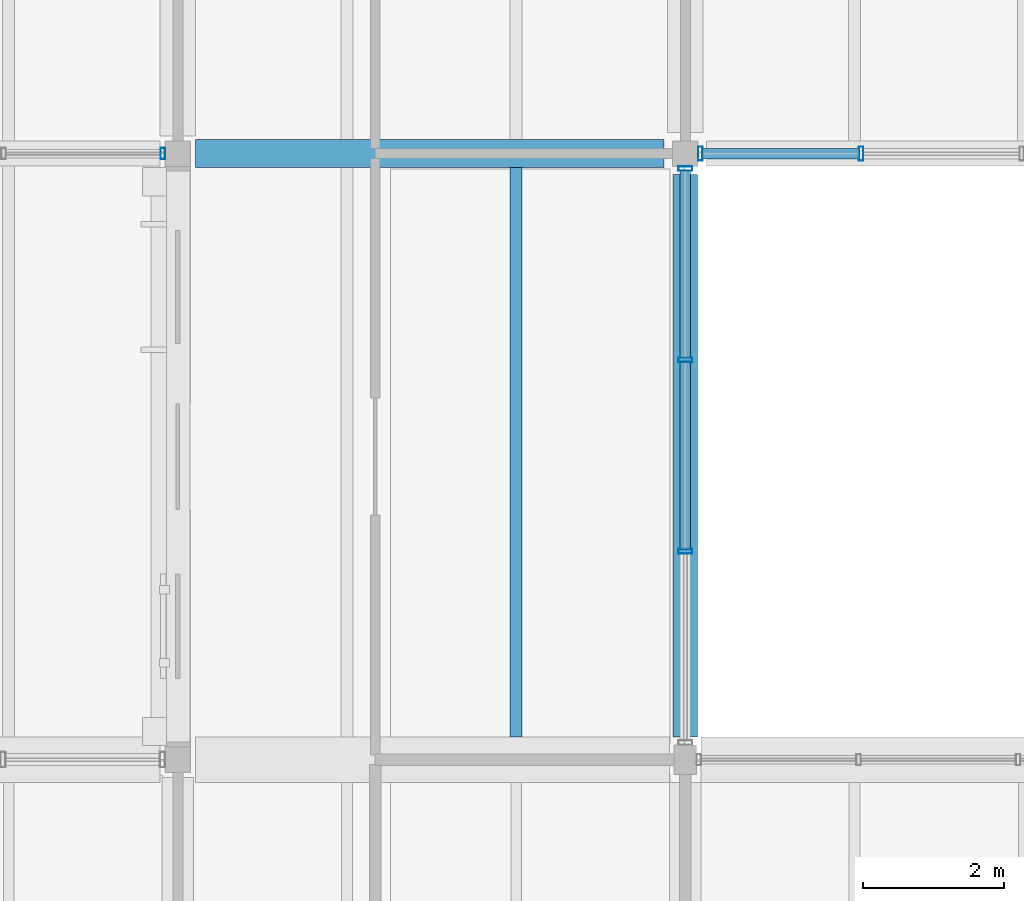
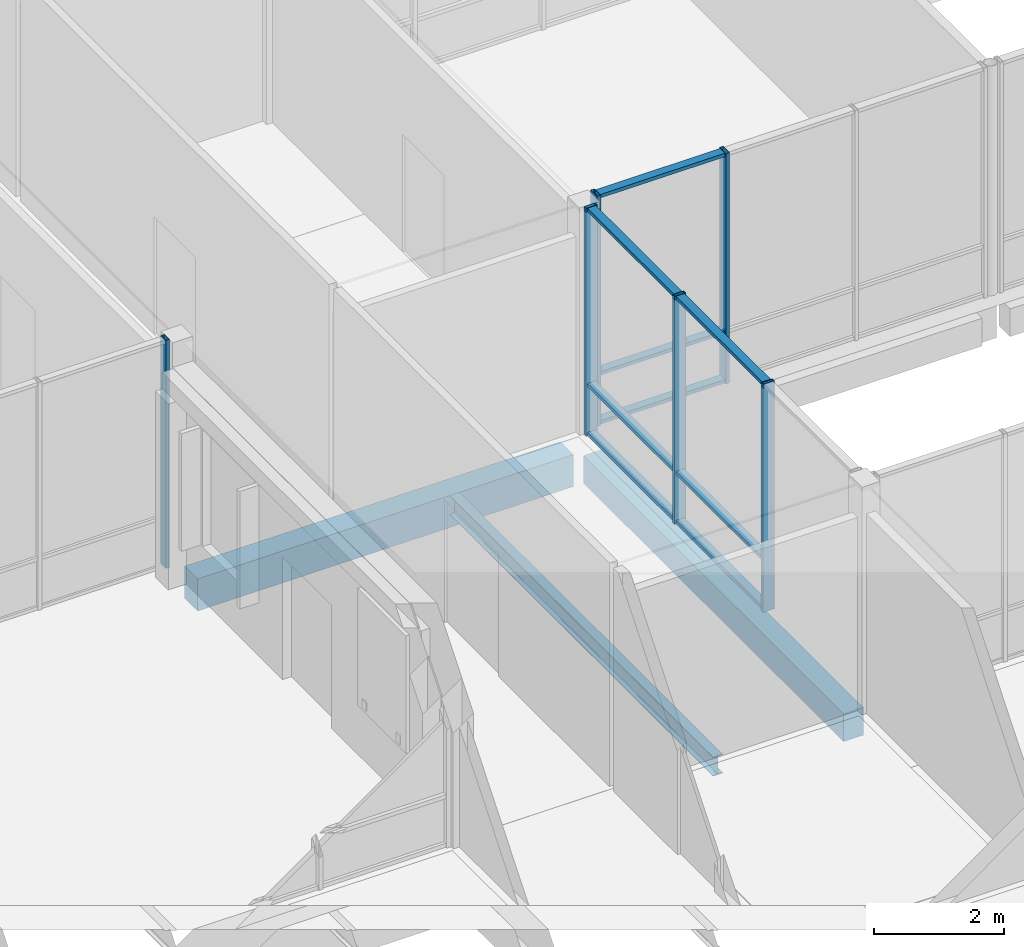
# One storey, part 25 of 146: 15 members, 3 beams, 3 elements without a shape of their own.
"""IFC4 building model written with IfcOpenShell, lengths in metres."""

from ifc_helpers import new_model, si_unit, direction, frame, origin, origin_2d, place, context, subcontext, project, spatial, rectangle, hollow_rectangle, i_section, extrude, material, material_profile, profile_set, type_object, element, aggregate, save


model = new_model("IFC4")

# Units and contexts
model_context = context("Model", 3, precision=1e-05, world=origin(), true_north=direction((0.0, 1.0)))
body_context = subcontext(model_context, "Body", "Model", "MODEL_VIEW")
ifc_project = project(units=[si_unit("LENGTHUNIT", "METRE"), si_unit("AREAUNIT", "SQUARE_METRE"), si_unit("VOLUMEUNIT", "CUBIC_METRE"), si_unit("PLANEANGLEUNIT", "RADIAN"), si_unit("MASSUNIT", "GRAM", prefix="KILO")], contexts=[model_context])

# Site, building, storey
site_placement = place(None, origin())
site = spatial("IfcSite", under=ifc_project, at=site_placement, CompositionType="ELEMENT")
building_placement = place(site_placement, origin())
building = spatial("IfcBuilding", under=site, at=building_placement, Name="Hawrajan Terrace Health Centre", CompositionType="ELEMENT")
storey_placement = place(building_placement, frame((0.0, 0.0, 4.5)))
storey = spatial("IfcBuildingStorey", under=building, at=storey_placement, Name="L01", CompositionType="ELEMENT", Elevation=4.5)

# Curtain wall, member
ifc_material_1 = material(Name="Anodized bronze aluminium and low-E solar glazing", Category="aluminium")
curtain_wall_type_1 = type_object("IfcCurtainWallType", Name="CW_Court_SeriesB3", PredefinedType="USERDEFINED", material=ifc_material_1)
curtain_wall_1_placement = place(storey_placement, origin())
curtain_wall_1 = element("IfcCurtainWall", 1, at=curtain_wall_1_placement, inside=storey, type_object=curtain_wall_type_1, Name="Curtain wall CW-L01-054", ObjectType="UNITISED CURTAIN WALL", PredefinedType="USERDEFINED")
ifc_material_2 = material(Name="Anodized bronze aluminium 6063-T6", Category="aluminium")
ifc_material_profile_1 = material_profile(ifc_material_2, hollow_rectangle(XDim=0.06494140625, YDim=0.159912109375, WallThickness=0.00390625, at=origin_2d()), Name="CW MUL 65x160")
ifc_profile_set_1 = profile_set([ifc_material_profile_1], Name="Anodized bronze aluminium 6063-T6")
member_type_1 = type_object("IfcMemberType", Name="CWMullion_65x160", PredefinedType="MULLION", material=ifc_profile_set_1)
member_1_placement = place(storey_placement, frame((18.78759765625, 27.199951171875, -0.0048828125), z_axis=(0.0, 0.0, 1.0), x_axis=(1.0, 0.0, 0.0)))
member_1 = element("IfcMember", 2, at=member_1_placement, type_object=member_type_1, Name="Mullion CW-L01-054-M4", PredefinedType="MULLION", context=body_context, shape_type="SweptSolid", body=[
    extrude(hollow_rectangle(XDim=0.06494140625, YDim=0.159912109375, WallThickness=0.00390625, at=origin_2d()), origin(), (0.0, 0.0, 1.0), 4.269775390625),
])
aggregate(curtain_wall_1, [member_1])

# Curtain wall, members
curtain_wall_type_2 = type_object("IfcCurtainWallType", Name="CW_CourtNS_SeriesC1", PredefinedType="USERDEFINED", material=ifc_material_1)
curtain_wall_2_placement = place(storey_placement, origin())
curtain_wall_2 = element("IfcCurtainWall", 3, at=curtain_wall_2_placement, inside=storey, type_object=curtain_wall_type_2, Name="Curtain wall CW-L01-055", ObjectType="UNITISED CURTAIN WALL", PredefinedType="USERDEFINED")
ifc_material_profile_2 = material_profile(ifc_material_2, hollow_rectangle(XDim=0.06494140625, YDim=0.199951171875, WallThickness=0.00439453125, at=origin_2d()), Name="CW MUL 65x200")
ifc_profile_set_2 = profile_set([ifc_material_profile_2], Name="Anodized bronze aluminium 6063-T6")
member_type_2 = type_object("IfcMemberType", Name="CWMullion_65x200", PredefinedType="MULLION", material=ifc_profile_set_2)
member_2_placement = place(storey_placement, frame((26.199951171875, 21.5576171875, -0.0048828125), z_axis=(0.0, 0.0, 1.0), x_axis=(0.0, 1.0, 0.0)))
member_2 = element("IfcMember", 4, at=member_2_placement, type_object=member_type_2, Name="Mullion CW-L01-055-M2", PredefinedType="MULLION", context=body_context, shape_type="SweptSolid", body=[
    extrude(hollow_rectangle(XDim=0.06494140625, YDim=0.199951171875, WallThickness=0.00439453125, at=origin_2d()), origin(), (0.0, 0.0, 1.0), 4.269775390625),
])
member_3_placement = place(storey_placement, frame((26.199951171875, 24.2724609375, -0.0048828125), z_axis=(0.0, 0.0, 1.0), x_axis=(0.0, 1.0, 0.0)))
member_3 = element("IfcMember", 5, at=member_3_placement, type_object=member_type_2, Name="Mullion CW-L01-055-M3", PredefinedType="MULLION", context=body_context, shape_type="SweptSolid", body=[
    extrude(hollow_rectangle(XDim=0.06494140625, YDim=0.199951171875, WallThickness=0.00439453125, at=origin_2d()), origin(), (0.0, 0.0, 1.0), 4.269775390625),
])
member_4_placement = place(storey_placement, frame((26.199951171875, 26.987548828125, -0.0048828125), z_axis=(0.0, 0.0, 1.0), x_axis=(0.0, 1.0, 0.0)))
member_4 = element("IfcMember", 6, at=member_4_placement, type_object=member_type_2, Name="Mullion CW-L01-055-M4", PredefinedType="MULLION", context=body_context, shape_type="SweptSolid", body=[
    extrude(hollow_rectangle(XDim=0.06494140625, YDim=0.199951171875, WallThickness=0.00439453125, at=origin_2d()), origin(), (0.0, 0.0, 1.0), 4.269775390625),
])

curtain_wall_type_3 = type_object("IfcCurtainWallType", Name="CW_Hall_SeriesD1", PredefinedType="USERDEFINED", material=ifc_material_1)
curtain_wall_3_placement = place(storey_placement, origin())
curtain_wall_3 = element("IfcCurtainWall", 7, at=curtain_wall_3_placement, inside=storey, type_object=curtain_wall_type_3, Name="Curtain wall CW-L01-058", ObjectType="UNITISED CURTAIN WALL", PredefinedType="USERDEFINED")
member_5_placement = place(storey_placement, frame((26.41259765625, 27.199951171875, -0.0048828125), z_axis=(0.0, 0.0, 1.0), x_axis=(1.0, 0.0, 0.0)))
member_5 = element("IfcMember", 8, at=member_5_placement, type_object=member_type_2, Name="Mullion CW-L01-058-M1", PredefinedType="MULLION", context=body_context, shape_type="SweptSolid", body=[
    extrude(hollow_rectangle(XDim=0.06494140625, YDim=0.199951171875, WallThickness=0.00439453125, at=origin_2d()), origin(), (0.0, 0.0, 1.0), 4.309814453125),
])
member_6_placement = place(storey_placement, frame((28.6943359375, 27.199951171875, -0.0048828125), z_axis=(0.0, 0.0, 1.0), x_axis=(1.0, 0.0, 0.0)))
member_6 = element("IfcMember", 9, at=member_6_placement, type_object=member_type_2, Name="Mullion CW-L01-058-M2", PredefinedType="MULLION", context=body_context, shape_type="SweptSolid", body=[
    extrude(hollow_rectangle(XDim=0.06494140625, YDim=0.199951171875, WallThickness=0.00439453125, at=origin_2d()), origin(), (0.0, 0.0, 1.0), 4.309814453125),
])

# Member
ifc_material_profile_3 = material_profile(ifc_material_2, hollow_rectangle(XDim=0.06494140625, YDim=0.14990234375, WallThickness=0.00390625, at=origin_2d()), Name="CW TRN 65x150")
ifc_profile_set_3 = profile_set([ifc_material_profile_3], Name="Anodized bronze aluminium 6063-T6")
member_type_3 = type_object("IfcMemberType", Name="CWTransom_65x150", PredefinedType="USERDEFINED", material=ifc_profile_set_3)
member_7_placement = place(storey_placement, frame((26.199951171875, 21.583984375, 0.032470703125), z_axis=(0.0, 1.0, 0.0), x_axis=(0.0, 0.0, 1.0)))
member_7 = element("IfcMember", 10, at=member_7_placement, type_object=member_type_3, Name="Transom CW-L01-055-T2-1", ObjectType="TRANSOM", PredefinedType="USERDEFINED", context=body_context, shape_type="SweptSolid", body=[
    extrude(hollow_rectangle(XDim=0.06494140625, YDim=0.14990234375, WallThickness=0.00390625, at=origin_2d()), origin(), (0.0, 0.0, 1.0), 2.662109375),
])

member_8_placement = place(storey_placement, frame((26.199951171875, 21.583984375, 0.949951171875), z_axis=(0.0, 1.0, 0.0), x_axis=(0.0, 0.0, 1.0)))
member_8 = element("IfcMember", 11, at=member_8_placement, type_object=member_type_3, Name="Transom CW-L01-055-T2-2", ObjectType="TRANSOM", PredefinedType="USERDEFINED", context=body_context, shape_type="SweptSolid", body=[
    extrude(hollow_rectangle(XDim=0.06494140625, YDim=0.14990234375, WallThickness=0.00390625, at=origin_2d()), origin(), (0.0, 0.0, 1.0), 2.662109375),
])

member_9_placement = place(storey_placement, frame((26.199951171875, 21.583984375, 4.2275390625), z_axis=(0.0, 1.0, 0.0), x_axis=(0.0, 0.0, 1.0)))
member_9 = element("IfcMember", 12, at=member_9_placement, type_object=member_type_3, Name="Transom CW-L01-055-T2-3", ObjectType="TRANSOM", PredefinedType="USERDEFINED", context=body_context, shape_type="SweptSolid", body=[
    extrude(hollow_rectangle(XDim=0.06494140625, YDim=0.14990234375, WallThickness=0.00390625, at=origin_2d()), origin(), (0.0, 0.0, 1.0), 2.662109375),
])

member_10_placement = place(storey_placement, frame((26.199951171875, 24.299072265625, 0.032470703125), z_axis=(0.0, 1.0, 0.0), x_axis=(0.0, 0.0, 1.0)))
member_10 = element("IfcMember", 13, at=member_10_placement, type_object=member_type_3, Name="Transom CW-L01-055-T3-1", ObjectType="TRANSOM", PredefinedType="USERDEFINED", context=body_context, shape_type="SweptSolid", body=[
    extrude(hollow_rectangle(XDim=0.06494140625, YDim=0.14990234375, WallThickness=0.00390625, at=origin_2d()), origin(), (0.0, 0.0, 1.0), 2.661865234375),
])

member_11_placement = place(storey_placement, frame((26.199951171875, 24.299072265625, 0.949951171875), z_axis=(0.0, 1.0, 0.0), x_axis=(0.0, 0.0, 1.0)))
member_11 = element("IfcMember", 14, at=member_11_placement, type_object=member_type_3, Name="Transom CW-L01-055-T3-2", ObjectType="TRANSOM", PredefinedType="USERDEFINED", context=body_context, shape_type="SweptSolid", body=[
    extrude(hollow_rectangle(XDim=0.06494140625, YDim=0.14990234375, WallThickness=0.00390625, at=origin_2d()), origin(), (0.0, 0.0, 1.0), 2.661865234375),
])

member_12_placement = place(storey_placement, frame((26.199951171875, 24.299072265625, 4.2275390625), z_axis=(0.0, 1.0, 0.0), x_axis=(0.0, 0.0, 1.0)))
member_12 = element("IfcMember", 15, at=member_12_placement, type_object=member_type_3, Name="Transom CW-L01-055-T3-3", ObjectType="TRANSOM", PredefinedType="USERDEFINED", context=body_context, shape_type="SweptSolid", body=[
    extrude(hollow_rectangle(XDim=0.06494140625, YDim=0.14990234375, WallThickness=0.00390625, at=origin_2d()), origin(), (0.0, 0.0, 1.0), 2.661865234375),
])

aggregate(curtain_wall_2, [member_2, member_3, member_4, member_7, member_8, member_9, member_10, member_11, member_12])

member_13_placement = place(storey_placement, frame((26.43896484375, 27.199951171875, 0.032470703125), z_axis=(1.0, 0.0, 0.0), x_axis=(0.0, 0.0, 1.0)))
member_13 = element("IfcMember", 16, at=member_13_placement, type_object=member_type_3, Name="Transom CW-L01-058-T1-1", ObjectType="TRANSOM", PredefinedType="USERDEFINED", context=body_context, shape_type="SweptSolid", body=[
    extrude(hollow_rectangle(XDim=0.06494140625, YDim=0.14990234375, WallThickness=0.00390625, at=origin_2d()), origin(), (0.0, 0.0, 1.0), 2.228759765625),
])

member_14_placement = place(storey_placement, frame((26.43896484375, 27.199951171875, 0.949951171875), z_axis=(1.0, 0.0, 0.0), x_axis=(0.0, 0.0, 1.0)))
member_14 = element("IfcMember", 17, at=member_14_placement, type_object=member_type_3, Name="Transom CW-L01-058-T1-2", ObjectType="TRANSOM", PredefinedType="USERDEFINED", context=body_context, shape_type="SweptSolid", body=[
    extrude(hollow_rectangle(XDim=0.06494140625, YDim=0.14990234375, WallThickness=0.00390625, at=origin_2d()), origin(), (0.0, 0.0, 1.0), 2.228759765625),
])

member_15_placement = place(storey_placement, frame((26.43896484375, 27.199951171875, 4.267578125), z_axis=(1.0, 0.0, 0.0), x_axis=(0.0, 0.0, 1.0)))
member_15 = element("IfcMember", 18, at=member_15_placement, type_object=member_type_3, Name="Transom CW-L01-058-T1-3", ObjectType="TRANSOM", PredefinedType="USERDEFINED", context=body_context, shape_type="SweptSolid", body=[
    extrude(hollow_rectangle(XDim=0.06494140625, YDim=0.14990234375, WallThickness=0.00390625, at=origin_2d()), origin(), (0.0, 0.0, 1.0), 2.228759765625),
])

aggregate(curtain_wall_3, [member_5, member_6, member_13, member_14, member_15])

# Beams
ifc_material_3 = material(Name="Concrete C40/50", Category="concrete")
ifc_material_profile_4 = material_profile(ifc_material_3, rectangle(XDim=0.39990234375, YDim=0.60009765625, at=origin_2d()), Name="RC BM 400x600")
ifc_profile_set_4 = profile_set([ifc_material_profile_4], Name="Concrete C40/50")
beam_type_1 = type_object("IfcBeamType", Name="RCGirder_400x600", PredefinedType="BEAM", material=ifc_profile_set_4)
beam_1_placement = place(storey_placement, frame((19.25, 27.199951171875, -0.60009765625), z_axis=(1.0, 0.0, 0.0), x_axis=(0.0, 1.0, 0.0)))
element("IfcBeam", 19, at=beam_1_placement, inside=storey, type_object=beam_type_1, Name="Beam BM-X-L01-W-03-Y4", PredefinedType="BEAM", context=body_context, shape_type="SweptSolid", body=[
    extrude(rectangle(XDim=0.39990234375, YDim=0.60009765625, at=origin_2d()), origin(), (0.0, 0.0, 1.0), 6.64990234375),
])
ifc_material_profile_5 = material_profile(ifc_material_3, rectangle(XDim=0.35009765625, YDim=0.52001953125, at=origin_2d()), Name="RC SP 350x520")
ifc_profile_set_5 = profile_set([ifc_material_profile_5], Name="Concrete C40/50")
beam_type_2 = type_object("IfcBeamType", Name="RCSpandrel_350x520", PredefinedType="SPANDREL", material=ifc_profile_set_5)
beam_2_placement = place(storey_placement, frame((26.199951171875, 18.925048828125, -0.56005859375), z_axis=(0.0, 1.0, 0.0), x_axis=(-1.0, 0.0, 0.0)))
element("IfcBeam", 20, at=beam_2_placement, inside=storey, type_object=beam_type_2, Name="Beam BM-Y-L01-W-X04-3", PredefinedType="SPANDREL", context=body_context, shape_type="SweptSolid", body=[
    extrude(rectangle(XDim=0.35009765625, YDim=0.52001953125, at=origin_2d()), origin(), (0.0, 0.0, 1.0), 7.974853515625),
])
ifc_material_4 = material(Name="Steel S355", Category="steel")
ifc_material_profile_6 = material_profile(ifc_material_4, i_section(OverallWidth=0.169921875, OverallDepth=0.360107421875, WebThickness=0.008056640625, FlangeThickness=0.0126953125, FilletRadius=0.01806640625, at=origin_2d()), Name="IPE 360")
ifc_profile_set_6 = profile_set([ifc_material_profile_6], Name="Steel S355")
beam_type_3 = type_object("IfcBeamType", Name="SteelBeam_IPE360", PredefinedType="BEAM", material=ifc_profile_set_6)
beam_3_placement = place(storey_placement, frame((23.800048828125, 18.925048828125, -0.47998046875), z_axis=(0.0, 1.0, 0.0), x_axis=(-1.0, 0.0, 0.0)))
element("IfcBeam", 21, at=beam_3_placement, inside=storey, type_object=beam_type_3, Name="Secondary joist JST-L01-W-03-3-2", PredefinedType="BEAM", context=body_context, shape_type="SweptSolid", body=[
    extrude(i_section(OverallWidth=0.169921875, OverallDepth=0.360107421875, WebThickness=0.008056640625, FlangeThickness=0.0126953125, FilletRadius=0.01806640625, at=origin_2d()), origin(), (0.0, 0.0, 1.0), 8.074951171875),
])

save(model, "model.ifc")
